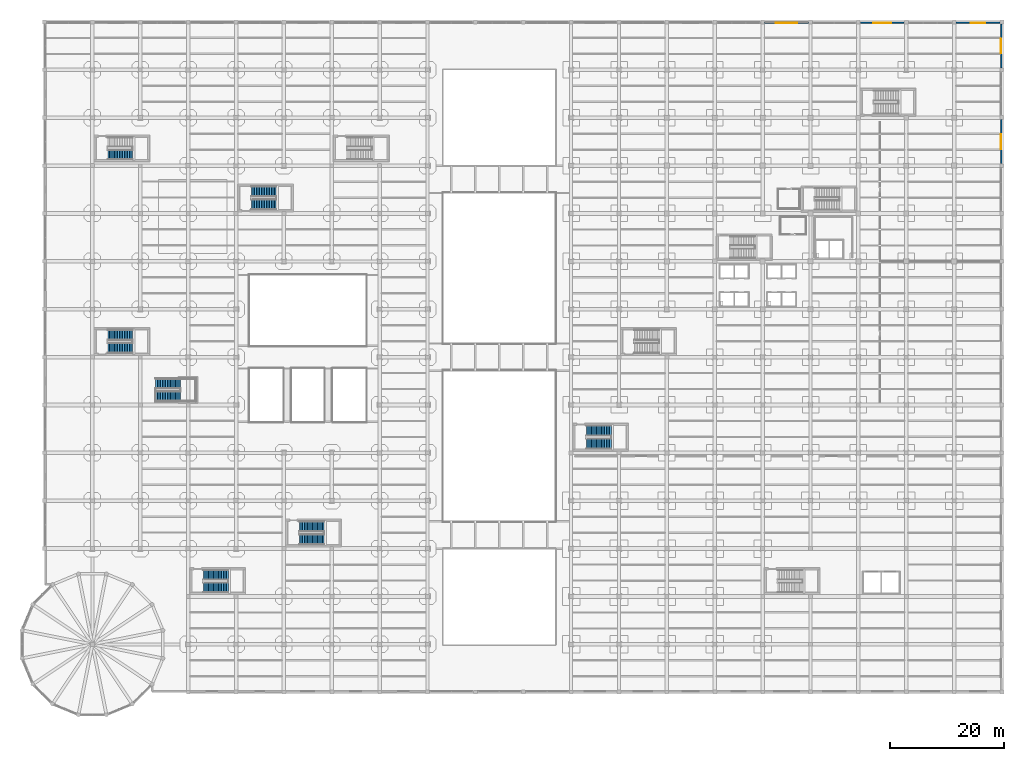
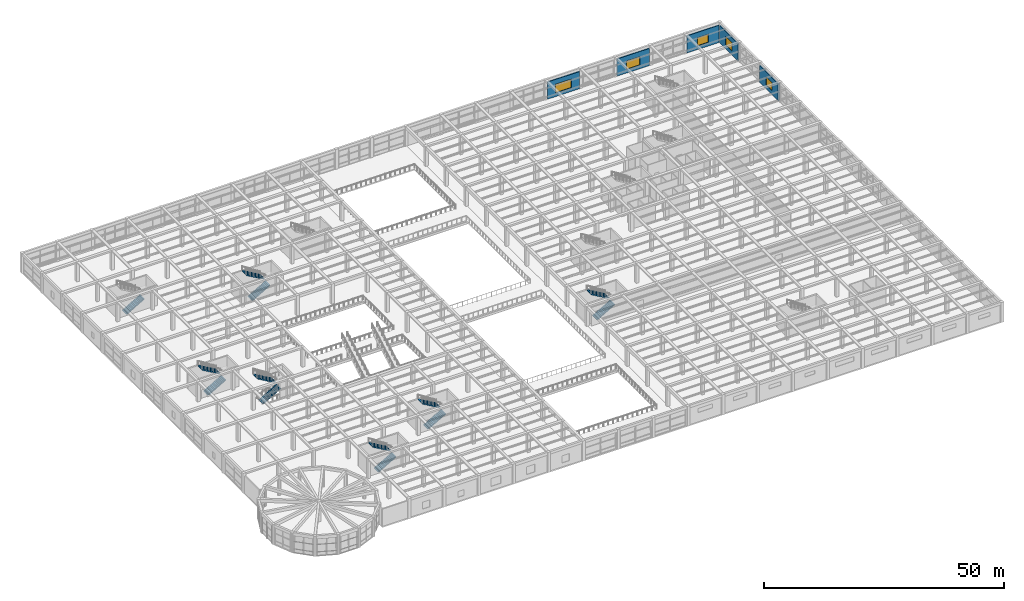
# One storey, part 83 of 96: 13 stair flights, 5 walls, 5 windows, 5 openings, 7 elements without a shape of their own.
"""IFC4 building model written with IfcOpenShell, lengths in metres."""

from ifc_helpers import new_model, si_unit, direction, frame, frame_2d, origin, place, context, subcontext, project, spatial, polyline, rectangle, outline, extrude, material, layer, layer_set, type_object, element, fill, aggregate, save


model = new_model("IFC4")

# Units and contexts
model_context = context("Model", 3, precision=1e-05, world=origin(), true_north=direction((0.0, 1.0)))
body_context = subcontext(model_context, "Body", "Model", "MODEL_VIEW")
ifc_project = project(units=[si_unit("LENGTHUNIT", "METRE"), si_unit("AREAUNIT", "SQUARE_METRE"), si_unit("VOLUMEUNIT", "CUBIC_METRE"), si_unit("PLANEANGLEUNIT", "RADIAN"), si_unit("MASSUNIT", "GRAM", prefix="KILO")], contexts=[model_context])

# Site, building, storey
site_placement = place(None, origin())
site = spatial("IfcSite", under=ifc_project, at=site_placement, CompositionType="ELEMENT")
building_placement = place(site_placement, origin())
building = spatial("IfcBuilding", under=site, at=building_placement, Name="Almacenes y Pasaje Nevantli", CompositionType="ELEMENT")
storey_placement = place(building_placement, frame((0.0, 0.0, 6.0)))
storey = spatial("IfcBuildingStorey", under=building, at=storey_placement, Name="L02", CompositionType="ELEMENT", Elevation=6.0)

# Wall, opening, window
ifc_material_1 = material(Name="Architectural Precast Concrete C35/45 Spandrel Wall", Category="concrete")
ifc_layer_1 = layer(ifc_material_1, 0.280029296875)
ifc_layer_set_1 = layer_set([ifc_layer_1], Name="Architectural Precast Concrete C35/45 Spandrel Wall")
wall_type = type_object("IfcWallType", Name="WL-EXT-CANTERA-280", PredefinedType="SOLIDWALL", material=ifc_layer_set_1)
wall_1_placement = place(storey_placement, frame((126.327880859375, 117.449951171875, 0.0), z_axis=(0.0, 0.0, 1.0), x_axis=(1.0, 0.0, 0.0)))
wall_1 = element("IfcWall", 1, at=wall_1_placement, inside=storey, type_object=wall_type, Name="L02 North Boulevard Cantera Spandrel Wall Bay 16", PredefinedType="SOLIDWALL", context=body_context, shape_type="SweptSolid", body=[
    extrude(rectangle(XDim=7.72021484375, YDim=0.280029296875, at=frame_2d((3.860107421875, 0.0))), origin(), (0.0, 0.0, 1.0), 4.3798828125),
])
opening_1_placement = place(wall_1_placement, frame((1.971923828125, 0.0, 0.949951171875)))
opening_1 = element("IfcOpeningElement", 2, at=opening_1_placement, cuts=wall_1, Name="Opening WT-09-058", PredefinedType="OPENING", context=body_context, shape_type="SweptSolid", body=[
    extrude(rectangle(XDim=3.800048828125, YDim=2.199951171875, at=frame_2d((1.89990234375, 1.10009765625))), frame((0.0, 0.14990234375, 0.0), z_axis=(0.0, -1.0, 0.0), x_axis=(1.0, 0.0, 0.0)), (0.0, 0.0, 1.0), 0.300048828125),
])
ifc_material_2 = material(Name="Thermally Broken Aluminium and Low-E Double Glazing", Category="aluminium")
window_type_1 = type_object("IfcWindowType", Name="WN-POD-3800x2200", PartitioningType="SINGLE_PANEL", PredefinedType="WINDOW", material=ifc_material_2)
window_1_placement = place(opening_1_placement, origin())
window_1 = element("IfcWindow", 3, at=window_1_placement, inside=storey, type_object=window_type_1, Name="L02 Exterior Window WT-09 #58", OverallHeight=2.199951171875, OverallWidth=3.800048828125, PartitioningType="SINGLE_PANEL", PredefinedType="WINDOW", context=body_context, shape_type="SweptSolid", body=[
    extrude(rectangle(XDim=3.800048828125, YDim=2.199951171875, at=frame_2d((1.89990234375, 1.10009765625))), frame((0.0, 0.030029296875, 0.0), z_axis=(0.0, -1.0, 0.0), x_axis=(1.0, 0.0, 0.0)), (0.0, 0.0, 1.0), 0.06005859375),
])
fill(opening_1, window_1)

wall_2_placement = place(storey_placement, frame((143.1279296875, 117.449951171875, 0.0), z_axis=(0.0, 0.0, 1.0), x_axis=(1.0, 0.0, 0.0)))
wall_2 = element("IfcWall", 4, at=wall_2_placement, inside=storey, type_object=wall_type, Name="L02 North Boulevard Cantera Spandrel Wall Bay 18", PredefinedType="SOLIDWALL", context=body_context, shape_type="SweptSolid", body=[
    extrude(rectangle(XDim=7.718017578125, YDim=0.280029296875, at=frame_2d((3.85888671875, 0.0))), origin(), (0.0, 0.0, 1.0), 4.3798828125),
])
opening_2_placement = place(wall_2_placement, frame((2.27197265625, 0.0, 0.949951171875)))
opening_2 = element("IfcOpeningElement", 5, at=opening_2_placement, cuts=wall_2, Name="Opening WT-11-059", PredefinedType="OPENING", context=body_context, shape_type="SweptSolid", body=[
    extrude(rectangle(XDim=3.199951171875, YDim=2.14990234375, at=frame_2d((1.60009765625, 1.074951171875))), frame((0.0, 0.14990234375, 0.0), z_axis=(0.0, -1.0, 0.0), x_axis=(1.0, 0.0, 0.0)), (0.0, 0.0, 1.0), 0.300048828125),
])
ifc_material_3 = material(Name="Thermally Broken Aluminium and Low-E Double Glazing", Category="aluminium")
window_type_2 = type_object("IfcWindowType", Name="WN-POD-3200x2150", PartitioningType="SINGLE_PANEL", PredefinedType="WINDOW", material=ifc_material_3)
window_2_placement = place(opening_2_placement, origin())
window_2 = element("IfcWindow", 6, at=window_2_placement, inside=storey, type_object=window_type_2, Name="L02 Exterior Window WT-11 #59", OverallHeight=2.14990234375, OverallWidth=3.199951171875, PartitioningType="SINGLE_PANEL", PredefinedType="WINDOW", context=body_context, shape_type="SweptSolid", body=[
    extrude(rectangle(XDim=3.199951171875, YDim=2.14990234375, at=frame_2d((1.60009765625, 1.074951171875))), frame((0.0, 0.030029296875, 0.0), z_axis=(0.0, -1.0, 0.0), x_axis=(1.0, 0.0, 0.0)), (0.0, 0.0, 1.0), 0.06005859375),
])
fill(opening_2, window_2)

wall_3_placement = place(storey_placement, frame((159.927978515625, 117.449951171875, 0.0), z_axis=(0.0, 0.0, 1.0), x_axis=(1.0, 0.0, 0.0)))
wall_3 = element("IfcWall", 7, at=wall_3_placement, inside=storey, type_object=wall_type, Name="L02 North Boulevard Cantera Spandrel Wall Bay 20", PredefinedType="SOLIDWALL", context=body_context, shape_type="SweptSolid", body=[
    extrude(rectangle(XDim=7.718017578125, YDim=0.280029296875, at=frame_2d((3.85888671875, 0.0))), origin(), (0.0, 0.0, 1.0), 4.3798828125),
])
opening_3_placement = place(wall_3_placement, frame((2.572021484375, 0.0, 0.949951171875)))
opening_3 = element("IfcOpeningElement", 8, at=opening_3_placement, cuts=wall_3, Name="Opening WT-13-060", PredefinedType="OPENING", context=body_context, shape_type="SweptSolid", body=[
    extrude(rectangle(XDim=2.60009765625, YDim=2.10009765625, at=frame_2d((1.300048828125, 1.050048828125))), frame((0.0, 0.14990234375, 0.0), z_axis=(0.0, -1.0, 0.0), x_axis=(1.0, 0.0, 0.0)), (0.0, 0.0, 1.0), 0.300048828125),
])
ifc_material_4 = material(Name="Thermally Broken Aluminium and Low-E Double Glazing", Category="aluminium")
window_type_3 = type_object("IfcWindowType", Name="WN-POD-2600x2100", PartitioningType="SINGLE_PANEL", PredefinedType="WINDOW", material=ifc_material_4)
window_3_placement = place(opening_3_placement, origin())
window_3 = element("IfcWindow", 9, at=window_3_placement, inside=storey, type_object=window_type_3, Name="L02 Exterior Window WT-13 #60", OverallHeight=2.10009765625, OverallWidth=2.60009765625, PartitioningType="SINGLE_PANEL", PredefinedType="WINDOW", context=body_context, shape_type="SweptSolid", body=[
    extrude(rectangle(XDim=2.60009765625, YDim=2.10009765625, at=frame_2d((1.300048828125, 1.050048828125))), frame((0.0, 0.030029296875, 0.0), z_axis=(0.0, -1.0, 0.0), x_axis=(1.0, 0.0, 0.0)), (0.0, 0.0, 1.0), 0.06005859375),
])
fill(opening_3, window_3)

wall_4_placement = place(storey_placement, frame((167.85009765625, 92.72802734375, 0.0), z_axis=(0.0, 0.0, 1.0), x_axis=(0.0, 1.0, 0.0)))
wall_4 = element("IfcWall", 10, at=wall_4_placement, inside=storey, type_object=wall_type, Name="L02 East Facade Wall Bay 12", PredefinedType="SOLIDWALL", context=body_context, shape_type="SweptSolid", body=[
    extrude(rectangle(XDim=7.719970703125, YDim=0.280029296875, at=frame_2d((3.85986328125, 0.0))), origin(), (0.0, 0.0, 1.0), 4.3798828125),
])
opening_4_placement = place(wall_4_placement, frame((2.572021484375, 0.0, 1.0)))
opening_4 = element("IfcOpeningElement", 11, at=opening_4_placement, cuts=wall_4, Name="Opening WT-13-088", PredefinedType="OPENING", context=body_context, shape_type="SweptSolid", body=[
    extrude(rectangle(XDim=2.60009765625, YDim=2.10009765625, at=frame_2d((1.300048828125, 1.050048828125))), frame((0.0, 0.14990234375, 0.0), z_axis=(0.0, -1.0, 0.0), x_axis=(1.0, 0.0, 0.0)), (0.0, 0.0, 1.0), 0.300048828125),
])
window_4_placement = place(opening_4_placement, origin())
window_4 = element("IfcWindow", 12, at=window_4_placement, inside=storey, type_object=window_type_3, Name="L02 Exterior Window WT-13 #88", OverallHeight=2.10009765625, OverallWidth=2.60009765625, PartitioningType="SINGLE_PANEL", PredefinedType="WINDOW", context=body_context, shape_type="SweptSolid", body=[
    extrude(rectangle(XDim=2.60009765625, YDim=2.10009765625, at=frame_2d((1.300048828125, 1.050048828125))), frame((0.0, 0.030029296875, 0.0), z_axis=(0.0, -1.0, 0.0), x_axis=(1.0, 0.0, 0.0)), (0.0, 0.0, 1.0), 0.06005859375),
])
fill(opening_4, window_4)

wall_5_placement = place(storey_placement, frame((167.85009765625, 109.528076171875, 0.0), z_axis=(0.0, 0.0, 1.0), x_axis=(0.0, 1.0, 0.0)))
wall_5 = element("IfcWall", 13, at=wall_5_placement, inside=storey, type_object=wall_type, Name="L02 East Facade Wall Bay 14", PredefinedType="SOLIDWALL", context=body_context, shape_type="SweptSolid", body=[
    extrude(rectangle(XDim=7.718017578125, YDim=0.280029296875, at=frame_2d((3.85888671875, 0.0))), origin(), (0.0, 0.0, 1.0), 4.3798828125),
])
opening_5_placement = place(wall_5_placement, frame((2.572021484375, 0.0, 1.0)))
opening_5 = element("IfcOpeningElement", 14, at=opening_5_placement, cuts=wall_5, Name="Opening WT-13-089", PredefinedType="OPENING", context=body_context, shape_type="SweptSolid", body=[
    extrude(rectangle(XDim=2.60009765625, YDim=2.10009765625, at=frame_2d((1.300048828125, 1.050048828125))), frame((0.0, 0.14990234375, 0.0), z_axis=(0.0, -1.0, 0.0), x_axis=(1.0, 0.0, 0.0)), (0.0, 0.0, 1.0), 0.300048828125),
])
window_5_placement = place(opening_5_placement, origin())
window_5 = element("IfcWindow", 15, at=window_5_placement, inside=storey, type_object=window_type_3, Name="L02 Exterior Window WT-13 #89", OverallHeight=2.10009765625, OverallWidth=2.60009765625, PartitioningType="SINGLE_PANEL", PredefinedType="WINDOW", context=body_context, shape_type="SweptSolid", body=[
    extrude(rectangle(XDim=2.60009765625, YDim=2.10009765625, at=frame_2d((1.300048828125, 1.050048828125))), frame((0.0, 0.030029296875, 0.0), z_axis=(0.0, -1.0, 0.0), x_axis=(1.0, 0.0, 0.0)), (0.0, 0.0, 1.0), 0.06005859375),
])
fill(opening_5, window_5)

# Stair, stair flight
ifc_material_5 = material(Name="Concrete C35/45", Category="concrete")
stair_type_1 = type_object("IfcStairType", Name="STR-CORE-1750", PredefinedType="HALF_TURN_STAIR", material=ifc_material_5)
stair_1_placement = place(storey_placement, origin())
stair_1 = element("IfcStair", 16, at=stair_1_placement, inside=storey, type_object=stair_type_1, Name="L02 Staircase ST-03", PredefinedType="HALF_TURN_STAIR")
ifc_material_6 = material(Name="Concrete C35/45", Category="concrete")
ifc_layer_2 = layer(ifc_material_6, 0.199951171875)
ifc_layer_set_2 = layer_set([ifc_layer_2], Name="Concrete C35/45")
stair_flight_type = type_object("IfcStairFlightType", Name="SFL-RC-200", PredefinedType="STRAIGHT", material=ifc_layer_set_2)
stair_flight_1_placement = place(storey_placement, frame((11.10009765625, 94.324951171875, 0.0), z_axis=(0.0, 0.0, 1.0), x_axis=(1.0, 0.0, 0.0)))
stair_flight_1 = element("IfcStairFlight", 17, at=stair_flight_1_placement, type_object=stair_flight_type, Name="ST-03-L02 flight 1", NumberOfRisers=16, NumberOfTreads=15, PredefinedType="STRAIGHT", RiserHeight=0.16875, TreadLength=0.29, context=body_context, shape_type="SweptSolid", body=[
    extrude(outline(polyline([(0.0, 0.0), (0.0, 0.168701171875), (0.2900390625, 0.168701171875), (0.2900390625, 0.33740234375), (0.580078125, 0.33740234375), (0.580078125, 0.50634765625), (0.8701171875, 0.50634765625), (0.8701171875, 0.675048828125), (1.159912109375, 0.675048828125), (1.159912109375, 0.84375), (1.449951171875, 0.84375), (1.449951171875, 1.012451171875), (1.739990234375, 1.012451171875), (1.739990234375, 1.18115234375), (2.030029296875, 1.18115234375), (2.030029296875, 1.35009765625), (2.320068359375, 1.35009765625), (2.320068359375, 1.518798828125), (2.610107421875, 1.518798828125), (2.610107421875, 1.6875), (2.89990234375, 1.6875), (2.89990234375, 1.856201171875), (3.18994140625, 1.856201171875), (3.18994140625, 2.02490234375), (3.47998046875, 2.02490234375), (3.47998046875, 2.19384765625), (3.77001953125, 2.19384765625), (3.77001953125, 2.362548828125), (4.06005859375, 2.362548828125), (4.06005859375, 2.53125), (4.35009765625, 2.53125), (4.35009765625, 2.699951171875), (4.35009765625, 2.2998046875), (0.3974609375, 0.0), (0.0, 0.0)])), frame((0.0, 0.875, 0.0), z_axis=(0.0, -1.0, 0.0), x_axis=(1.0, 0.0, 0.0)), (0.0, 0.0, 1.0), 1.75),
])
aggregate(stair_1, [stair_flight_1])

# Stair, stair flights
stair_2_placement = place(storey_placement, origin())
stair_2 = element("IfcStair", 18, at=stair_2_placement, inside=storey, type_object=stair_type_1, Name="L02 Staircase ST-04", PredefinedType="HALF_TURN_STAIR")
stair_flight_2_placement = place(storey_placement, frame((27.89990234375, 18.375, 0.0), z_axis=(0.0, 0.0, 1.0), x_axis=(1.0, 0.0, 0.0)))
stair_flight_2 = element("IfcStairFlight", 19, at=stair_flight_2_placement, type_object=stair_flight_type, Name="ST-04-L02 flight 1", NumberOfRisers=16, NumberOfTreads=15, PredefinedType="STRAIGHT", RiserHeight=0.16875, TreadLength=0.29, context=body_context, shape_type="SweptSolid", body=[
    extrude(outline(polyline([(0.0, 0.0), (0.0, 0.168701171875), (0.2900390625, 0.168701171875), (0.2900390625, 0.33740234375), (0.580078125, 0.33740234375), (0.580078125, 0.50634765625), (0.8701171875, 0.50634765625), (0.8701171875, 0.675048828125), (1.159912109375, 0.675048828125), (1.159912109375, 0.84375), (1.449951171875, 0.84375), (1.449951171875, 1.012451171875), (1.739990234375, 1.012451171875), (1.739990234375, 1.18115234375), (2.030029296875, 1.18115234375), (2.030029296875, 1.35009765625), (2.320068359375, 1.35009765625), (2.320068359375, 1.518798828125), (2.610107421875, 1.518798828125), (2.610107421875, 1.6875), (2.89990234375, 1.6875), (2.89990234375, 1.856201171875), (3.18994140625, 1.856201171875), (3.18994140625, 2.02490234375), (3.47998046875, 2.02490234375), (3.47998046875, 2.19384765625), (3.77001953125, 2.19384765625), (3.77001953125, 2.362548828125), (4.06005859375, 2.362548828125), (4.06005859375, 2.53125), (4.35009765625, 2.53125), (4.35009765625, 2.699951171875), (4.35009765625, 2.2998046875), (0.3974609375, 0.0), (0.0, 0.0)])), frame((0.0, 0.875, 0.0), z_axis=(0.0, -1.0, 0.0), x_axis=(1.0, 0.0, 0.0)), (0.0, 0.0, 1.0), 1.75),
])
stair_flight_3_placement = place(storey_placement, frame((32.25, 20.574951171875, 2.699951171875), z_axis=(0.0, 0.0, 1.0), x_axis=(-1.0, 0.0, 0.0)))
stair_flight_3 = element("IfcStairFlight", 20, at=stair_flight_3_placement, type_object=stair_flight_type, Name="ST-04-L02 flight 2", NumberOfRisers=16, NumberOfTreads=15, PredefinedType="STRAIGHT", RiserHeight=0.16875, TreadLength=0.29, context=body_context, shape_type="SweptSolid", body=[
    extrude(outline(polyline([(0.0, 0.0), (0.0, 0.168701171875), (0.2900390625, 0.168701171875), (0.2900390625, 0.33740234375), (0.580078125, 0.33740234375), (0.580078125, 0.50634765625), (0.8701171875, 0.50634765625), (0.8701171875, 0.675048828125), (1.159912109375, 0.675048828125), (1.159912109375, 0.84375), (1.449951171875, 0.84375), (1.449951171875, 1.012451171875), (1.739990234375, 1.012451171875), (1.739990234375, 1.18115234375), (2.030029296875, 1.18115234375), (2.030029296875, 1.35009765625), (2.320068359375, 1.35009765625), (2.320068359375, 1.518798828125), (2.610107421875, 1.518798828125), (2.610107421875, 1.6875), (2.89990234375, 1.6875), (2.89990234375, 1.856201171875), (3.18994140625, 1.856201171875), (3.18994140625, 2.02490234375), (3.47998046875, 2.02490234375), (3.47998046875, 2.19384765625), (3.77001953125, 2.19384765625), (3.77001953125, 2.362548828125), (4.06005859375, 2.362548828125), (4.06005859375, 2.53125), (4.35009765625, 2.53125), (4.35009765625, 2.699951171875), (4.35009765625, 2.2998046875), (0.3974609375, 0.0), (0.0, 0.0)])), frame((0.0, 0.875, 0.0), z_axis=(0.0, -1.0, 0.0), x_axis=(1.0, 0.0, 0.0)), (0.0, 0.0, 1.0), 1.75),
])
aggregate(stair_2, [stair_flight_2, stair_flight_3])

ifc_material_7 = material(Name="Concrete C35/45", Category="concrete")
stair_type_2 = type_object("IfcStairType", Name="STR-CORE-1850", PredefinedType="HALF_TURN_STAIR", material=ifc_material_7)
stair_3_placement = place(storey_placement, origin())
stair_3 = element("IfcStair", 21, at=stair_3_placement, inside=storey, type_object=stair_type_2, Name="L02 Staircase ST-08", PredefinedType="HALF_TURN_STAIR")
stair_flight_4_placement = place(storey_placement, frame((95.10009765625, 43.574951171875, 0.0), z_axis=(0.0, 0.0, 1.0), x_axis=(1.0, 0.0, 0.0)))
stair_flight_4 = element("IfcStairFlight", 22, at=stair_flight_4_placement, type_object=stair_flight_type, Name="ST-08-L02 flight 1", NumberOfRisers=16, NumberOfTreads=15, PredefinedType="STRAIGHT", RiserHeight=0.16875, TreadLength=0.29, context=body_context, shape_type="SweptSolid", body=[
    extrude(outline(polyline([(0.0, 0.0), (0.0, 0.168701171875), (0.2900390625, 0.168701171875), (0.2900390625, 0.33740234375), (0.580078125, 0.33740234375), (0.580078125, 0.50634765625), (0.8701171875, 0.50634765625), (0.8701171875, 0.675048828125), (1.159912109375, 0.675048828125), (1.159912109375, 0.84375), (1.449951171875, 0.84375), (1.449951171875, 1.012451171875), (1.739990234375, 1.012451171875), (1.739990234375, 1.18115234375), (2.030029296875, 1.18115234375), (2.030029296875, 1.35009765625), (2.320068359375, 1.35009765625), (2.320068359375, 1.518798828125), (2.610107421875, 1.518798828125), (2.610107421875, 1.6875), (2.89990234375, 1.6875), (2.89990234375, 1.856201171875), (3.18994140625, 1.856201171875), (3.18994140625, 2.02490234375), (3.47998046875, 2.02490234375), (3.47998046875, 2.19384765625), (3.77001953125, 2.19384765625), (3.77001953125, 2.362548828125), (4.06005859375, 2.362548828125), (4.06005859375, 2.53125), (4.35009765625, 2.53125), (4.35009765625, 2.699951171875), (4.35009765625, 2.2998046875), (0.3974609375, 0.0), (0.0, 0.0)])), frame((0.0, 0.925048828125, 0.0), z_axis=(0.0, -1.0, 0.0), x_axis=(1.0, 0.0, 0.0)), (0.0, 0.0, 1.0), 1.85009765625),
])
stair_flight_5_placement = place(storey_placement, frame((99.449951171875, 45.875, 2.699951171875), z_axis=(0.0, 0.0, 1.0), x_axis=(-1.0, 0.0, 0.0)))
stair_flight_5 = element("IfcStairFlight", 23, at=stair_flight_5_placement, type_object=stair_flight_type, Name="ST-08-L02 flight 2", NumberOfRisers=16, NumberOfTreads=15, PredefinedType="STRAIGHT", RiserHeight=0.16875, TreadLength=0.29, context=body_context, shape_type="SweptSolid", body=[
    extrude(outline(polyline([(0.0, 0.0), (0.0, 0.168701171875), (0.2900390625, 0.168701171875), (0.2900390625, 0.33740234375), (0.580078125, 0.33740234375), (0.580078125, 0.50634765625), (0.8701171875, 0.50634765625), (0.8701171875, 0.675048828125), (1.159912109375, 0.675048828125), (1.159912109375, 0.84375), (1.449951171875, 0.84375), (1.449951171875, 1.012451171875), (1.739990234375, 1.012451171875), (1.739990234375, 1.18115234375), (2.030029296875, 1.18115234375), (2.030029296875, 1.35009765625), (2.320068359375, 1.35009765625), (2.320068359375, 1.518798828125), (2.610107421875, 1.518798828125), (2.610107421875, 1.6875), (2.89990234375, 1.6875), (2.89990234375, 1.856201171875), (3.18994140625, 1.856201171875), (3.18994140625, 2.02490234375), (3.47998046875, 2.02490234375), (3.47998046875, 2.19384765625), (3.77001953125, 2.19384765625), (3.77001953125, 2.362548828125), (4.06005859375, 2.362548828125), (4.06005859375, 2.53125), (4.35009765625, 2.53125), (4.35009765625, 2.699951171875), (4.35009765625, 2.2998046875), (0.3974609375, 0.0), (0.0, 0.0)])), frame((0.0, 0.925048828125, 0.0), z_axis=(0.0, -1.0, 0.0), x_axis=(1.0, 0.0, 0.0)), (0.0, 0.0, 1.0), 1.85009765625),
])
aggregate(stair_3, [stair_flight_4, stair_flight_5])

stair_4_placement = place(storey_placement, origin())
stair_4 = element("IfcStair", 24, at=stair_4_placement, inside=storey, type_object=stair_type_2, Name="L02 Staircase ST-12", PredefinedType="HALF_TURN_STAIR")
stair_flight_6_placement = place(storey_placement, frame((11.10009765625, 60.375, 0.0), z_axis=(0.0, 0.0, 1.0), x_axis=(1.0, 0.0, 0.0)))
stair_flight_6 = element("IfcStairFlight", 25, at=stair_flight_6_placement, type_object=stair_flight_type, Name="ST-12-L02 flight 1", NumberOfRisers=16, NumberOfTreads=15, PredefinedType="STRAIGHT", RiserHeight=0.16875, TreadLength=0.29, context=body_context, shape_type="SweptSolid", body=[
    extrude(outline(polyline([(0.0, 0.0), (0.0, 0.168701171875), (0.2900390625, 0.168701171875), (0.2900390625, 0.33740234375), (0.580078125, 0.33740234375), (0.580078125, 0.50634765625), (0.8701171875, 0.50634765625), (0.8701171875, 0.675048828125), (1.159912109375, 0.675048828125), (1.159912109375, 0.84375), (1.449951171875, 0.84375), (1.449951171875, 1.012451171875), (1.739990234375, 1.012451171875), (1.739990234375, 1.18115234375), (2.030029296875, 1.18115234375), (2.030029296875, 1.35009765625), (2.320068359375, 1.35009765625), (2.320068359375, 1.518798828125), (2.610107421875, 1.518798828125), (2.610107421875, 1.6875), (2.89990234375, 1.6875), (2.89990234375, 1.856201171875), (3.18994140625, 1.856201171875), (3.18994140625, 2.02490234375), (3.47998046875, 2.02490234375), (3.47998046875, 2.19384765625), (3.77001953125, 2.19384765625), (3.77001953125, 2.362548828125), (4.06005859375, 2.362548828125), (4.06005859375, 2.53125), (4.35009765625, 2.53125), (4.35009765625, 2.699951171875), (4.35009765625, 2.2998046875), (0.3974609375, 0.0), (0.0, 0.0)])), frame((0.0, 0.925048828125, 0.0), z_axis=(0.0, -1.0, 0.0), x_axis=(1.0, 0.0, 0.0)), (0.0, 0.0, 1.0), 1.85009765625),
])
stair_flight_7_placement = place(storey_placement, frame((15.449951171875, 62.675048828125, 2.699951171875), z_axis=(0.0, 0.0, 1.0), x_axis=(-1.0, 0.0, 0.0)))
stair_flight_7 = element("IfcStairFlight", 26, at=stair_flight_7_placement, type_object=stair_flight_type, Name="ST-12-L02 flight 2", NumberOfRisers=16, NumberOfTreads=15, PredefinedType="STRAIGHT", RiserHeight=0.16875, TreadLength=0.29, context=body_context, shape_type="SweptSolid", body=[
    extrude(outline(polyline([(0.0, 0.0), (0.0, 0.168701171875), (0.2900390625, 0.168701171875), (0.2900390625, 0.33740234375), (0.580078125, 0.33740234375), (0.580078125, 0.50634765625), (0.8701171875, 0.50634765625), (0.8701171875, 0.675048828125), (1.159912109375, 0.675048828125), (1.159912109375, 0.84375), (1.449951171875, 0.84375), (1.449951171875, 1.012451171875), (1.739990234375, 1.012451171875), (1.739990234375, 1.18115234375), (2.030029296875, 1.18115234375), (2.030029296875, 1.35009765625), (2.320068359375, 1.35009765625), (2.320068359375, 1.518798828125), (2.610107421875, 1.518798828125), (2.610107421875, 1.6875), (2.89990234375, 1.6875), (2.89990234375, 1.856201171875), (3.18994140625, 1.856201171875), (3.18994140625, 2.02490234375), (3.47998046875, 2.02490234375), (3.47998046875, 2.19384765625), (3.77001953125, 2.19384765625), (3.77001953125, 2.362548828125), (4.06005859375, 2.362548828125), (4.06005859375, 2.53125), (4.35009765625, 2.53125), (4.35009765625, 2.699951171875), (4.35009765625, 2.2998046875), (0.3974609375, 0.0), (0.0, 0.0)])), frame((0.0, 0.925048828125, 0.0), z_axis=(0.0, -1.0, 0.0), x_axis=(1.0, 0.0, 0.0)), (0.0, 0.0, 1.0), 1.85009765625),
])
aggregate(stair_4, [stair_flight_6, stair_flight_7])

stair_5_placement = place(storey_placement, origin())
stair_5 = element("IfcStair", 27, at=stair_5_placement, inside=storey, type_object=stair_type_2, Name="L02 Staircase ST-14", PredefinedType="HALF_TURN_STAIR")
stair_flight_8_placement = place(storey_placement, frame((44.699951171875, 26.77490234375, 0.0), z_axis=(0.0, 0.0, 1.0), x_axis=(1.0, 0.0, 0.0)))
stair_flight_8 = element("IfcStairFlight", 28, at=stair_flight_8_placement, type_object=stair_flight_type, Name="ST-14-L02 flight 1", NumberOfRisers=16, NumberOfTreads=15, PredefinedType="STRAIGHT", RiserHeight=0.16875, TreadLength=0.29, context=body_context, shape_type="SweptSolid", body=[
    extrude(outline(polyline([(0.0, 0.0), (0.0, 0.168701171875), (0.2900390625, 0.168701171875), (0.2900390625, 0.33740234375), (0.580078125, 0.33740234375), (0.580078125, 0.50634765625), (0.8701171875, 0.50634765625), (0.8701171875, 0.675048828125), (1.159912109375, 0.675048828125), (1.159912109375, 0.84375), (1.449951171875, 0.84375), (1.449951171875, 1.012451171875), (1.739990234375, 1.012451171875), (1.739990234375, 1.18115234375), (2.030029296875, 1.18115234375), (2.030029296875, 1.35009765625), (2.320068359375, 1.35009765625), (2.320068359375, 1.518798828125), (2.610107421875, 1.518798828125), (2.610107421875, 1.6875), (2.89990234375, 1.6875), (2.89990234375, 1.856201171875), (3.18994140625, 1.856201171875), (3.18994140625, 2.02490234375), (3.47998046875, 2.02490234375), (3.47998046875, 2.19384765625), (3.77001953125, 2.19384765625), (3.77001953125, 2.362548828125), (4.06005859375, 2.362548828125), (4.06005859375, 2.53125), (4.35009765625, 2.53125), (4.35009765625, 2.699951171875), (4.35009765625, 2.2998046875), (0.3974609375, 0.0), (0.0, 0.0)])), frame((0.0, 0.925048828125, 0.0), z_axis=(0.0, -1.0, 0.0), x_axis=(1.0, 0.0, 0.0)), (0.0, 0.0, 1.0), 1.85009765625),
])
stair_flight_9_placement = place(storey_placement, frame((49.050048828125, 29.074951171875, 2.699951171875), z_axis=(0.0, 0.0, 1.0), x_axis=(-1.0, 0.0, 0.0)))
stair_flight_9 = element("IfcStairFlight", 29, at=stair_flight_9_placement, type_object=stair_flight_type, Name="ST-14-L02 flight 2", NumberOfRisers=16, NumberOfTreads=15, PredefinedType="STRAIGHT", RiserHeight=0.16875, TreadLength=0.29, context=body_context, shape_type="SweptSolid", body=[
    extrude(outline(polyline([(0.0, 0.0), (0.0, 0.168701171875), (0.2900390625, 0.168701171875), (0.2900390625, 0.33740234375), (0.580078125, 0.33740234375), (0.580078125, 0.50634765625), (0.8701171875, 0.50634765625), (0.8701171875, 0.675048828125), (1.159912109375, 0.675048828125), (1.159912109375, 0.84375), (1.449951171875, 0.84375), (1.449951171875, 1.012451171875), (1.739990234375, 1.012451171875), (1.739990234375, 1.18115234375), (2.030029296875, 1.18115234375), (2.030029296875, 1.35009765625), (2.320068359375, 1.35009765625), (2.320068359375, 1.518798828125), (2.610107421875, 1.518798828125), (2.610107421875, 1.6875), (2.89990234375, 1.6875), (2.89990234375, 1.856201171875), (3.18994140625, 1.856201171875), (3.18994140625, 2.02490234375), (3.47998046875, 2.02490234375), (3.47998046875, 2.19384765625), (3.77001953125, 2.19384765625), (3.77001953125, 2.362548828125), (4.06005859375, 2.362548828125), (4.06005859375, 2.53125), (4.35009765625, 2.53125), (4.35009765625, 2.699951171875), (4.35009765625, 2.2998046875), (0.3974609375, 0.0), (0.0, 0.0)])), frame((0.0, 0.925048828125, 0.0), z_axis=(0.0, -1.0, 0.0), x_axis=(1.0, 0.0, 0.0)), (0.0, 0.0, 1.0), 1.85009765625),
])
aggregate(stair_5, [stair_flight_8, stair_flight_9])

stair_6_placement = place(storey_placement, origin())
stair_6 = element("IfcStair", 30, at=stair_6_placement, inside=storey, type_object=stair_type_2, Name="L02 Staircase ST-15", PredefinedType="HALF_TURN_STAIR")
stair_flight_10_placement = place(storey_placement, frame((36.300048828125, 85.574951171875, 0.0), z_axis=(0.0, 0.0, 1.0), x_axis=(1.0, 0.0, 0.0)))
stair_flight_10 = element("IfcStairFlight", 31, at=stair_flight_10_placement, type_object=stair_flight_type, Name="ST-15-L02 flight 1", NumberOfRisers=16, NumberOfTreads=15, PredefinedType="STRAIGHT", RiserHeight=0.16875, TreadLength=0.29, context=body_context, shape_type="SweptSolid", body=[
    extrude(outline(polyline([(0.0, 0.0), (0.0, 0.168701171875), (0.2900390625, 0.168701171875), (0.2900390625, 0.33740234375), (0.580078125, 0.33740234375), (0.580078125, 0.50634765625), (0.8701171875, 0.50634765625), (0.8701171875, 0.675048828125), (1.159912109375, 0.675048828125), (1.159912109375, 0.84375), (1.449951171875, 0.84375), (1.449951171875, 1.012451171875), (1.739990234375, 1.012451171875), (1.739990234375, 1.18115234375), (2.030029296875, 1.18115234375), (2.030029296875, 1.35009765625), (2.320068359375, 1.35009765625), (2.320068359375, 1.518798828125), (2.610107421875, 1.518798828125), (2.610107421875, 1.6875), (2.89990234375, 1.6875), (2.89990234375, 1.856201171875), (3.18994140625, 1.856201171875), (3.18994140625, 2.02490234375), (3.47998046875, 2.02490234375), (3.47998046875, 2.19384765625), (3.77001953125, 2.19384765625), (3.77001953125, 2.362548828125), (4.06005859375, 2.362548828125), (4.06005859375, 2.53125), (4.35009765625, 2.53125), (4.35009765625, 2.699951171875), (4.35009765625, 2.2998046875), (0.3974609375, 0.0), (0.0, 0.0)])), frame((0.0, 0.925048828125, 0.0), z_axis=(0.0, -1.0, 0.0), x_axis=(1.0, 0.0, 0.0)), (0.0, 0.0, 1.0), 1.85009765625),
])
stair_flight_11_placement = place(storey_placement, frame((40.64990234375, 87.875, 2.699951171875), z_axis=(0.0, 0.0, 1.0), x_axis=(-1.0, 0.0, 0.0)))
stair_flight_11 = element("IfcStairFlight", 32, at=stair_flight_11_placement, type_object=stair_flight_type, Name="ST-15-L02 flight 2", NumberOfRisers=16, NumberOfTreads=15, PredefinedType="STRAIGHT", RiserHeight=0.16875, TreadLength=0.29, context=body_context, shape_type="SweptSolid", body=[
    extrude(outline(polyline([(0.0, 0.0), (0.0, 0.168701171875), (0.2900390625, 0.168701171875), (0.2900390625, 0.33740234375), (0.580078125, 0.33740234375), (0.580078125, 0.50634765625), (0.8701171875, 0.50634765625), (0.8701171875, 0.675048828125), (1.159912109375, 0.675048828125), (1.159912109375, 0.84375), (1.449951171875, 0.84375), (1.449951171875, 1.012451171875), (1.739990234375, 1.012451171875), (1.739990234375, 1.18115234375), (2.030029296875, 1.18115234375), (2.030029296875, 1.35009765625), (2.320068359375, 1.35009765625), (2.320068359375, 1.518798828125), (2.610107421875, 1.518798828125), (2.610107421875, 1.6875), (2.89990234375, 1.6875), (2.89990234375, 1.856201171875), (3.18994140625, 1.856201171875), (3.18994140625, 2.02490234375), (3.47998046875, 2.02490234375), (3.47998046875, 2.19384765625), (3.77001953125, 2.19384765625), (3.77001953125, 2.362548828125), (4.06005859375, 2.362548828125), (4.06005859375, 2.53125), (4.35009765625, 2.53125), (4.35009765625, 2.699951171875), (4.35009765625, 2.2998046875), (0.3974609375, 0.0), (0.0, 0.0)])), frame((0.0, 0.925048828125, 0.0), z_axis=(0.0, -1.0, 0.0), x_axis=(1.0, 0.0, 0.0)), (0.0, 0.0, 1.0), 1.85009765625),
])
aggregate(stair_6, [stair_flight_10, stair_flight_11])

ifc_material_8 = material(Name="Concrete C35/45", Category="concrete")
stair_type_3 = type_object("IfcStairType", Name="STR-FEAT-1750", PredefinedType="HALF_TURN_STAIR", material=ifc_material_8)
stair_7_placement = place(storey_placement, origin())
stair_7 = element("IfcStair", 33, at=stair_7_placement, inside=storey, type_object=stair_type_3, Name="L02 Staircase ST-10", PredefinedType="HALF_TURN_STAIR")
stair_flight_12_placement = place(storey_placement, frame((19.5, 51.925048828125, 0.0), z_axis=(0.0, 0.0, 1.0), x_axis=(1.0, 0.0, 0.0)))
stair_flight_12 = element("IfcStairFlight", 34, at=stair_flight_12_placement, type_object=stair_flight_type, Name="ST-10-L02 flight 1", NumberOfRisers=16, NumberOfTreads=15, PredefinedType="STRAIGHT", RiserHeight=0.16875, TreadLength=0.29, context=body_context, shape_type="SweptSolid", body=[
    extrude(outline(polyline([(0.0, 0.0), (0.0, 0.168701171875), (0.2900390625, 0.168701171875), (0.2900390625, 0.33740234375), (0.580078125, 0.33740234375), (0.580078125, 0.50634765625), (0.8701171875, 0.50634765625), (0.8701171875, 0.675048828125), (1.159912109375, 0.675048828125), (1.159912109375, 0.84375), (1.449951171875, 0.84375), (1.449951171875, 1.012451171875), (1.739990234375, 1.012451171875), (1.739990234375, 1.18115234375), (2.030029296875, 1.18115234375), (2.030029296875, 1.35009765625), (2.320068359375, 1.35009765625), (2.320068359375, 1.518798828125), (2.610107421875, 1.518798828125), (2.610107421875, 1.6875), (2.89990234375, 1.6875), (2.89990234375, 1.856201171875), (3.18994140625, 1.856201171875), (3.18994140625, 2.02490234375), (3.47998046875, 2.02490234375), (3.47998046875, 2.19384765625), (3.77001953125, 2.19384765625), (3.77001953125, 2.362548828125), (4.06005859375, 2.362548828125), (4.06005859375, 2.53125), (4.35009765625, 2.53125), (4.35009765625, 2.699951171875), (4.35009765625, 2.2998046875), (0.3974609375, 0.0), (0.0, 0.0)])), frame((0.0, 0.875, 0.0), z_axis=(0.0, -1.0, 0.0), x_axis=(1.0, 0.0, 0.0)), (0.0, 0.0, 1.0), 1.75),
])
stair_flight_13_placement = place(storey_placement, frame((23.85009765625, 54.125, 2.699951171875), z_axis=(0.0, 0.0, 1.0), x_axis=(-1.0, 0.0, 0.0)))
stair_flight_13 = element("IfcStairFlight", 35, at=stair_flight_13_placement, type_object=stair_flight_type, Name="ST-10-L02 flight 2", NumberOfRisers=16, NumberOfTreads=15, PredefinedType="STRAIGHT", RiserHeight=0.16875, TreadLength=0.29, context=body_context, shape_type="SweptSolid", body=[
    extrude(outline(polyline([(0.0, 0.0), (0.0, 0.168701171875), (0.2900390625, 0.168701171875), (0.2900390625, 0.33740234375), (0.580078125, 0.33740234375), (0.580078125, 0.50634765625), (0.8701171875, 0.50634765625), (0.8701171875, 0.675048828125), (1.159912109375, 0.675048828125), (1.159912109375, 0.84375), (1.449951171875, 0.84375), (1.449951171875, 1.012451171875), (1.739990234375, 1.012451171875), (1.739990234375, 1.18115234375), (2.030029296875, 1.18115234375), (2.030029296875, 1.35009765625), (2.320068359375, 1.35009765625), (2.320068359375, 1.518798828125), (2.610107421875, 1.518798828125), (2.610107421875, 1.6875), (2.89990234375, 1.6875), (2.89990234375, 1.856201171875), (3.18994140625, 1.856201171875), (3.18994140625, 2.02490234375), (3.47998046875, 2.02490234375), (3.47998046875, 2.19384765625), (3.77001953125, 2.19384765625), (3.77001953125, 2.362548828125), (4.06005859375, 2.362548828125), (4.06005859375, 2.53125), (4.35009765625, 2.53125), (4.35009765625, 2.699951171875), (4.35009765625, 2.2998046875), (0.3974609375, 0.0), (0.0, 0.0)])), frame((0.0, 0.875, 0.0), z_axis=(0.0, -1.0, 0.0), x_axis=(1.0, 0.0, 0.0)), (0.0, 0.0, 1.0), 1.75),
])
aggregate(stair_7, [stair_flight_12, stair_flight_13])

save(model, "model.ifc")
